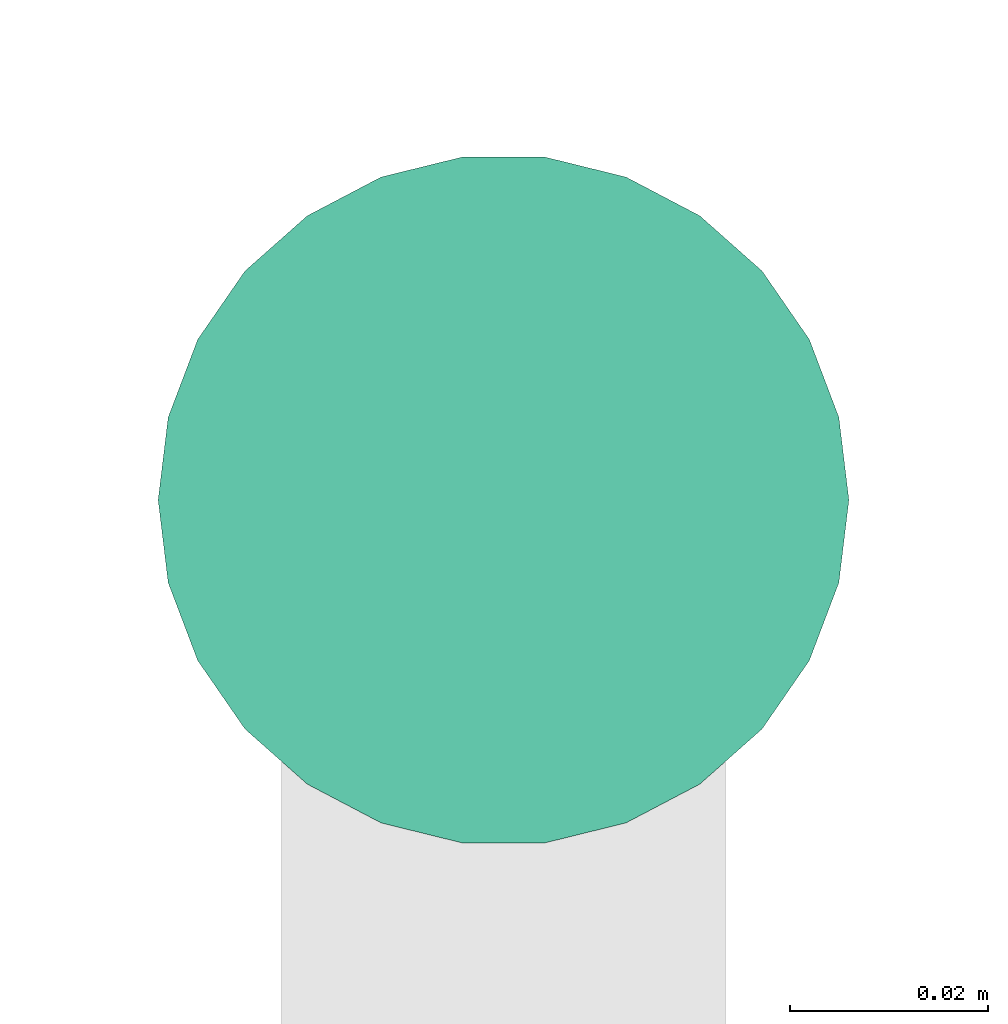
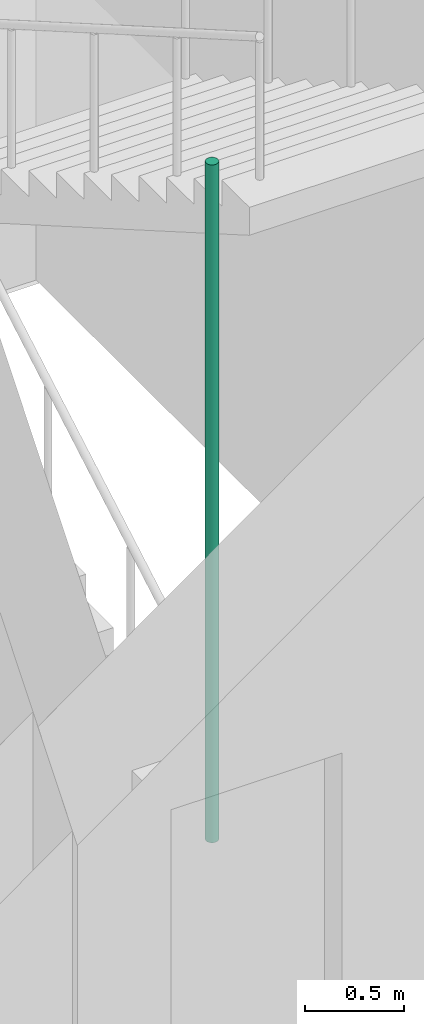
# One storey, part 69 of 72: 1 pipe segment.
"""IFC4 building model written with IfcOpenShell, lengths in metres."""

from ifc_helpers import new_model, si_unit, direction, frame, origin, origin_2d, place, context, subcontext, project, spatial, circle, extrude, element, save


model = new_model("IFC4")

# Units and contexts
model_context = context("Model", 3, precision=1e-05, world=origin(), true_north=direction((0.0, 1.0)))
body_context = subcontext(model_context, "Body", "Model", "MODEL_VIEW")
ifc_project = project(units=[si_unit("LENGTHUNIT", "METRE"), si_unit("AREAUNIT", "SQUARE_METRE"), si_unit("VOLUMEUNIT", "CUBIC_METRE"), si_unit("PLANEANGLEUNIT", "RADIAN"), si_unit("MASSUNIT", "GRAM", prefix="KILO")], contexts=[model_context])

# Site, building, storey
site_placement = place(None, origin())
site = spatial("IfcSite", under=ifc_project, at=site_placement, CompositionType="ELEMENT")
building_placement = place(site_placement, origin())
building = spatial("IfcBuilding", under=site, at=building_placement, Name="Nzadi Deep Aquarium and Research Tower", CompositionType="ELEMENT")
storey_placement = place(building_placement, frame((0.0, 0.0, 31.89990234375)))
storey = spatial("IfcBuildingStorey", under=building, at=storey_placement, Name="L05", CompositionType="ELEMENT", Elevation=31.89990234375)

# Pipe segment
pipe_segment_placement = place(storey_placement, frame((25.10009765625, 13.719970703125, 0.0), z_axis=(0.0, 0.0, 1.0), x_axis=(1.0, 0.0, 0.0)))
element("IfcPipeSegment", 1, at=pipe_segment_placement, inside=storey, Name="Dry riser ST-Z1-SE L05", PredefinedType="RIGIDSEGMENT", context=body_context, shape_type="SweptSolid", body=[
    extrude(circle(Radius=0.034912109375, at=origin_2d()), origin(), (0.0, 0.0, 1.0), 4.2001953125),
])

save(model, "model.ifc")
